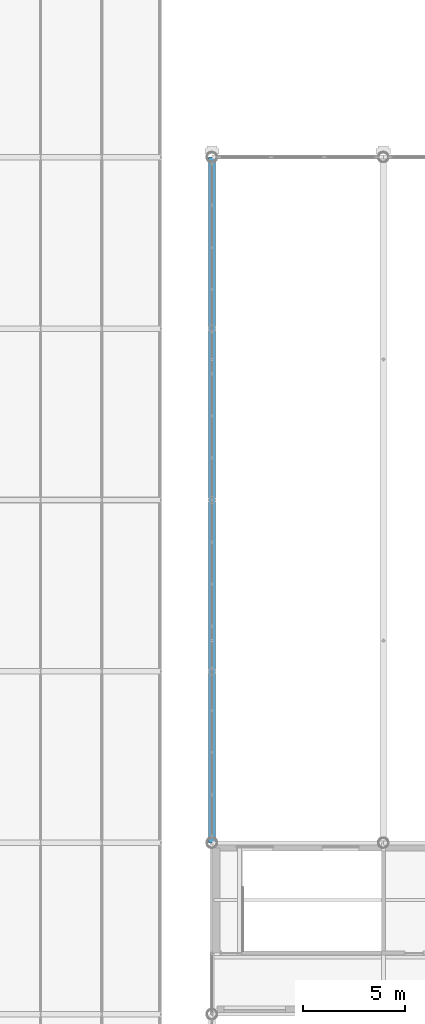
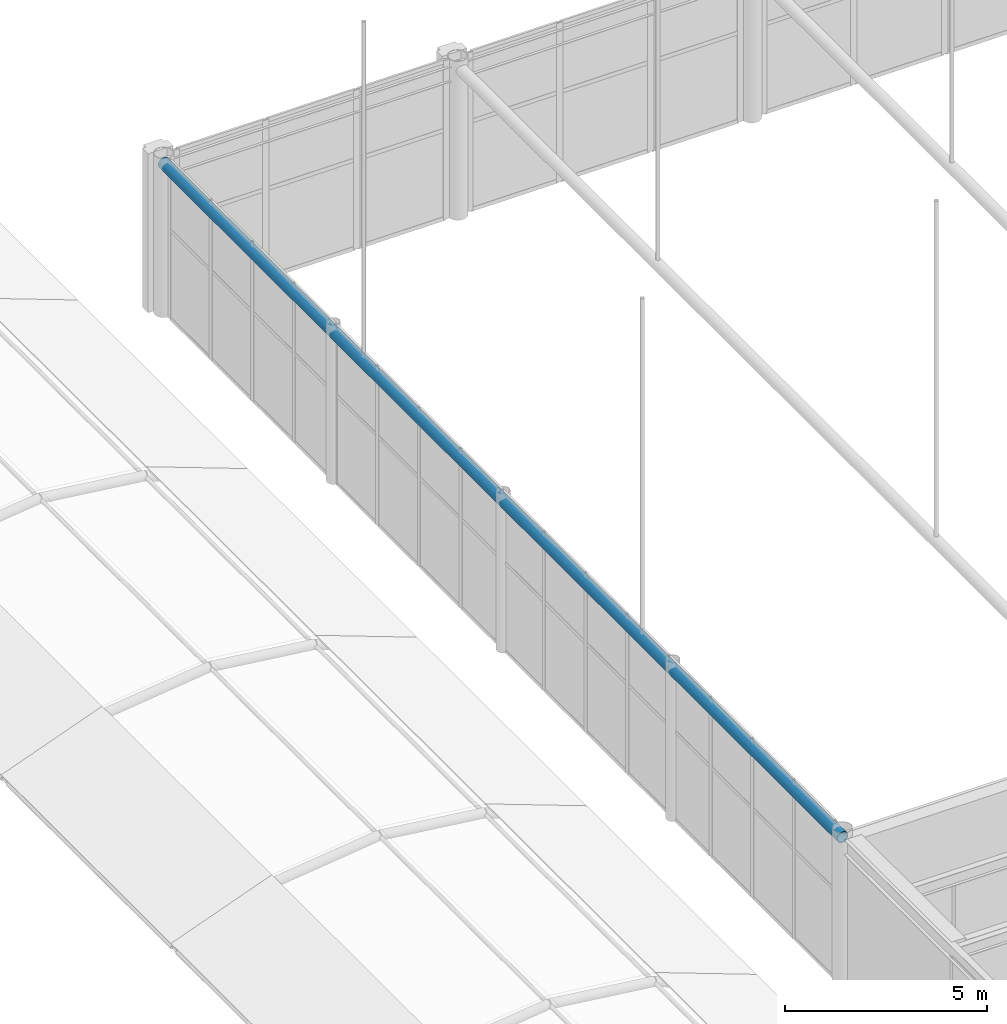
# One storey, part 68 of 167: 1 beam.
"""IFC4 building model written with IfcOpenShell, lengths in metres."""

from ifc_helpers import new_model, si_unit, direction, frame, origin, origin_2d, place, context, subcontext, project, spatial, hollow_circle, extrude, material, material_profile, profile_set, type_object, element, save


model = new_model("IFC4")

# Units and contexts
model_context = context("Model", 3, precision=1e-05, world=origin(), true_north=direction((0.0, 1.0)))
body_context = subcontext(model_context, "Body", "Model", "MODEL_VIEW")
ifc_project = project(units=[si_unit("LENGTHUNIT", "METRE"), si_unit("AREAUNIT", "SQUARE_METRE"), si_unit("VOLUMEUNIT", "CUBIC_METRE"), si_unit("PLANEANGLEUNIT", "RADIAN"), si_unit("MASSUNIT", "GRAM", prefix="KILO")], contexts=[model_context])

# Site, building, storey
site_placement = place(None, origin())
site = spatial("IfcSite", under=ifc_project, at=site_placement, CompositionType="ELEMENT")
building_placement = place(site_placement, origin())
building = spatial("IfcBuilding", under=site, at=building_placement, Name="Catenary Quay Ferry Terminal", CompositionType="ELEMENT")
storey_placement = place(building_placement, frame((0.0, 0.0, 6.0)))
storey = spatial("IfcBuildingStorey", under=building, at=storey_placement, Name="L01", CompositionType="ELEMENT", Elevation=6.0)

# Beam
ifc_material = material(Name="Steel S355", Category="steel")
ifc_material_profile = material_profile(ifc_material, hollow_circle(Radius=0.161865234375, WallThickness=0.01611328125, at=origin_2d()), Name="CHS 323.9x16")
ifc_profile_set = profile_set([ifc_material_profile], Name="Steel S355")
beam_type = type_object("IfcBeamType", Name="TB3 CHS 323.9x16", PredefinedType="BEAM", material=ifc_profile_set)
beam_placement = place(storey_placement, frame((25.199951171875, 109.199951171875, 4.5), z_axis=(0.0, 1.0, 0.0), x_axis=(-1.0, 0.0, 0.0)))
element("IfcBeam", 1, at=beam_placement, inside=storey, type_object=beam_type, Name="Vault tie beam VD-01", PredefinedType="BEAM", context=body_context, shape_type="SweptSolid", body=[
    extrude(hollow_circle(Radius=0.161865234375, WallThickness=0.01611328125, at=origin_2d()), origin(), (0.0, 0.0, 1.0), 33.60009765625),
])

save(model, "model.ifc")
